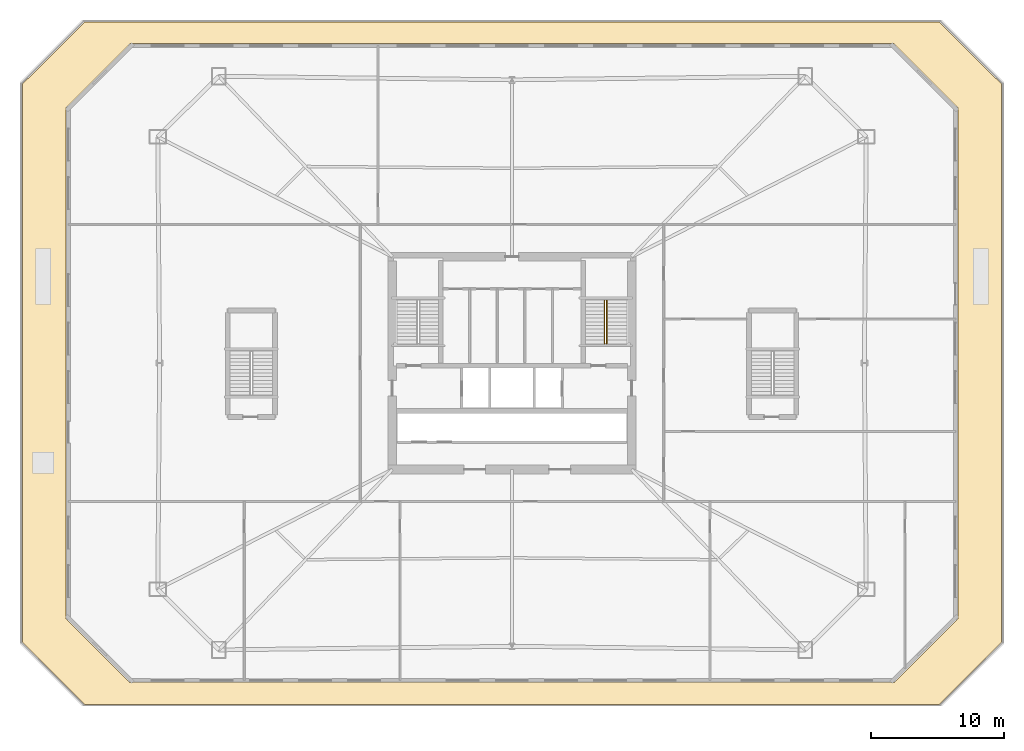
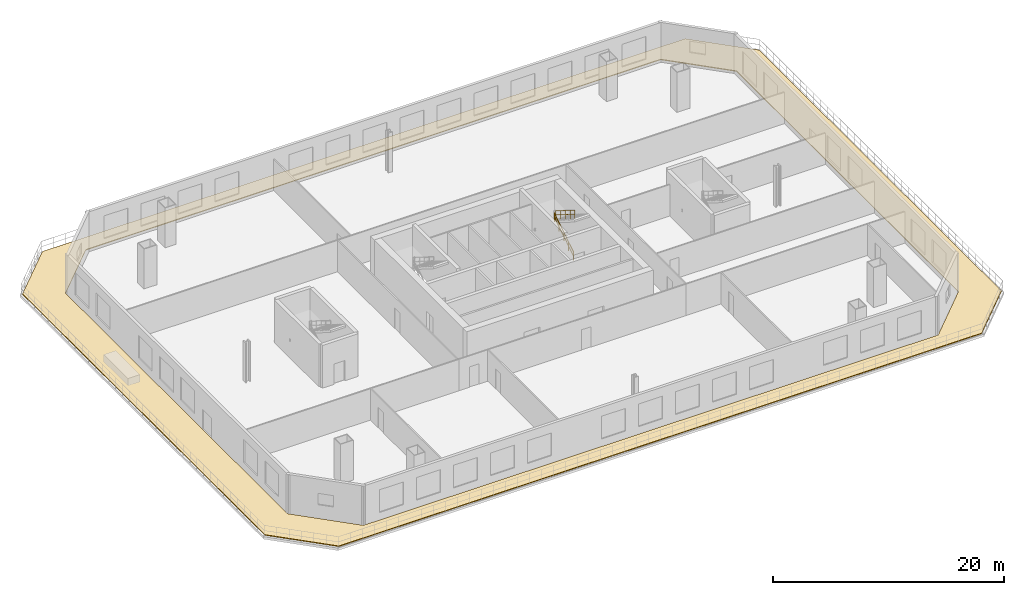
# One storey, part 9 of 10: 2 railings, 1 covering.
"""IFC4 building model written with IfcOpenShell, lengths in metres."""

from ifc_helpers import new_model, si_unit, direction, frame, origin, origin_2d, place, context, subcontext, project, spatial, polyline, circle, outline, extrude, material, layer, layer_set, type_object, element, save


model = new_model("IFC4")

# Units and contexts
model_context = context("Model", 3, precision=1e-05, world=origin(), true_north=direction((0.0, 1.0)))
body_context = subcontext(model_context, "Body", "Model", "MODEL_VIEW")
ifc_project = project(units=[si_unit("LENGTHUNIT", "METRE"), si_unit("AREAUNIT", "SQUARE_METRE"), si_unit("VOLUMEUNIT", "CUBIC_METRE"), si_unit("PLANEANGLEUNIT", "RADIAN"), si_unit("MASSUNIT", "GRAM", prefix="KILO")], contexts=[model_context])

# Site, building, storey
site_placement = place(None, origin())
site = spatial("IfcSite", under=ifc_project, at=site_placement, CompositionType="ELEMENT")
building_placement = place(site_placement, origin())
building = spatial("IfcBuilding", under=site, at=building_placement, Name="Caelvoria Tower", CompositionType="ELEMENT")
storey_placement = place(building_placement, frame((0.0, 0.0, 14.0)))
storey = spatial("IfcBuildingStorey", under=building, at=storey_placement, Name="L03", CompositionType="ELEMENT", Elevation=14.0)

# Railings
ifc_material_1 = material(Name="Brushed Stainless Steel Tube", Category="steel")
railing_type = type_object("IfcRailingType", Name="Stair Tubular Stainless Handrail 920", PredefinedType="HANDRAIL", material=ifc_material_1)
railing_1_placement = place(storey_placement, frame((52.969970703125, 33.449951171875, 0.173095703125)))
element("IfcRailing", 1, at=railing_1_placement, inside=storey, type_object=railing_type, Name="ST-02 Flight 1 Handrail L03", PredefinedType="HANDRAIL", context=body_context, shape_type="SweptSolid", body=[
    extrude(circle(Radius=0.02392578125, at=origin_2d()), frame((0.0, 0.0, 0.89599609375), z_axis=(0.0, 0.846337383501, 0.532647194011), x_axis=(-1.0, 0.0, 0.0)), (0.0, 0.0, 1.0), 3.899169921875),
    extrude(circle(Radius=0.02392578125, at=origin_2d()), frame((0.0, 0.0, 0.4599609375), z_axis=(0.0, 0.846337383501, 0.532647194011), x_axis=(-1.0, 0.0, 0.0)), (0.0, 0.0, 1.0), 3.899169921875),
    extrude(circle(Radius=0.02099609375, at=origin_2d()), origin(), (0.0, 0.0, 1.0), 0.871826171875),
    extrude(circle(Radius=0.02099609375, at=origin_2d()), frame((0.0, 0.824951171875, 0.519287109375)), (0.0, 0.0, 1.0), 0.871826171875),
    extrude(circle(Radius=0.02099609375, at=origin_2d()), frame((0.0, 1.64990234375, 1.03857421875)), (0.0, 0.0, 1.0), 0.871826171875),
    extrude(circle(Radius=0.02099609375, at=origin_2d()), frame((0.0, 2.47509765625, 1.5576171875)), (0.0, 0.0, 1.0), 0.871826171875),
    extrude(circle(Radius=0.02099609375, at=origin_2d()), frame((0.0, 3.300048828125, 2.076904296875)), (0.0, 0.0, 1.0), 0.871826171875),
])
railing_2_placement = place(storey_placement, frame((53.1298828125, 36.75, 2.423095703125)))
element("IfcRailing", 2, at=railing_2_placement, inside=storey, type_object=railing_type, Name="ST-02 Flight 2 Handrail L03", PredefinedType="HANDRAIL", context=body_context, shape_type="SweptSolid", body=[
    extrude(circle(Radius=0.02392578125, at=origin_2d()), frame((0.0, 0.0, 0.89599609375), z_axis=(0.0, -0.846337383501, 0.532647194011), x_axis=(1.0, 0.0, 0.0)), (0.0, 0.0, 1.0), 3.899169921875),
    extrude(circle(Radius=0.02392578125, at=origin_2d()), frame((0.0, 0.0, 0.4599609375), z_axis=(0.0, -0.846337383501, 0.532647194011), x_axis=(1.0, 0.0, 0.0)), (0.0, 0.0, 1.0), 3.899169921875),
    extrude(circle(Radius=0.02099609375, at=origin_2d()), origin(), (0.0, 0.0, 1.0), 0.871826171875),
    extrude(circle(Radius=0.02099609375, at=origin_2d()), frame((0.0, -0.824951171875, 0.519287109375)), (0.0, 0.0, 1.0), 0.871826171875),
    extrude(circle(Radius=0.02099609375, at=origin_2d()), frame((0.0, -1.64990234375, 1.03857421875)), (0.0, 0.0, 1.0), 0.871826171875),
    extrude(circle(Radius=0.02099609375, at=origin_2d()), frame((0.0, -2.47509765625, 1.5576171875)), (0.0, 0.0, 1.0), 0.871826171875),
    extrude(circle(Radius=0.02099609375, at=origin_2d()), frame((0.0, -3.300048828125, 2.076904296875)), (0.0, 0.0, 1.0), 0.871826171875),
])

# Covering
ifc_material_2 = material(Name="SBS Waterproofing Membrane and Extruded Insulation", Category="bitumen")
ifc_layer = layer(ifc_material_2, 0.1201171875, Name="SBS Waterproofing Membrane and Extruded Insulation")
ifc_layer_set = layer_set([ifc_layer], Name="Terrace Insulated Waterproof Roofing Membrane 120 - SBS Waterproofing Membrane and Extruded Insulation")
covering_type = type_object("IfcCoveringType", Name="Terrace Insulated Waterproof Roofing Membrane 120", PredefinedType="ROOFING", material=ifc_layer_set)
covering_placement = place(storey_placement, origin())
element("IfcCovering", 3, at=covering_placement, inside=storey, type_object=covering_type, Name="Terraced Podium Waterproof Roofing L03", PredefinedType="ROOFING", context=body_context, shape_type="SweptSolid", body=[
    extrude(outline(polyline([(13.871826171875, 6.33740234375), (78.128173828125, 6.33740234375), (82.808837890625, 11.009033203125), (82.808837890625, 52.990966796875), (78.128173828125, 57.66259765625), (13.871826171875, 57.66259765625), (9.191162109375, 52.990966796875), (9.191162109375, 11.009033203125), (13.871826171875, 6.33740234375)]), holes=[polyline([(12.46533203125, 12.780029296875), (12.46533203125, 51.219970703125), (17.269287109375, 56.025634765625), (74.730712890625, 56.025634765625), (79.53466796875, 51.219970703125), (79.53466796875, 12.780029296875), (74.730712890625, 7.974365234375), (17.269287109375, 7.974365234375), (12.46533203125, 12.780029296875)])]), origin(), (0.0, 0.0, 1.0), 0.080078125),
])

save(model, "model.ifc")
